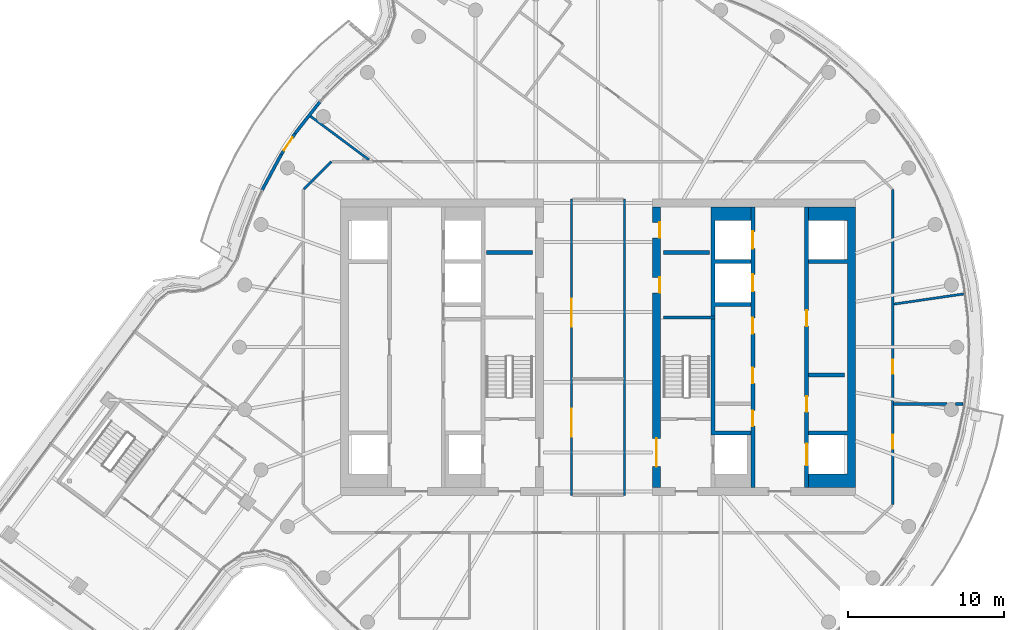
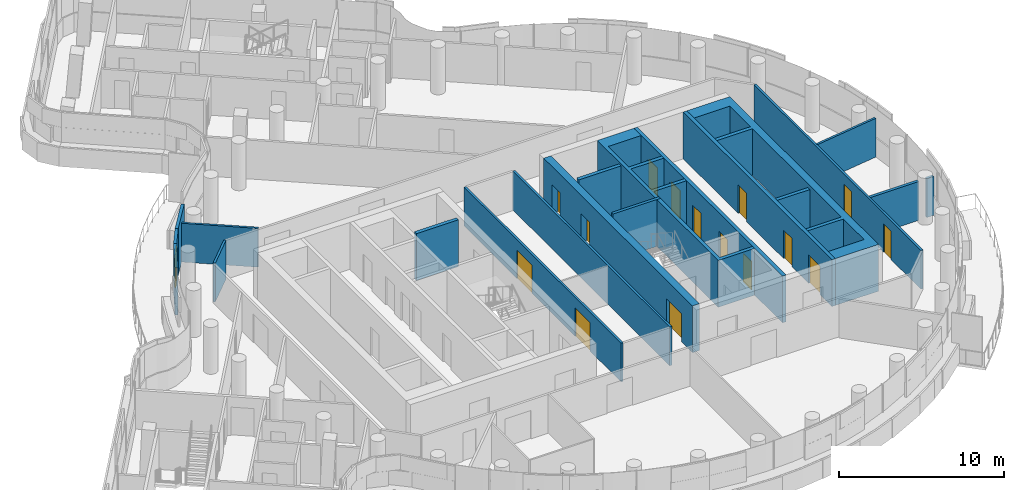
# One storey, part 19 of 27: 20 walls, 16 doors, 16 openings.
"""IFC4 building model written with IfcOpenShell, lengths in metres."""

from ifc_helpers import new_model, si_unit, direction, frame, frame_2d, origin, place, context, subcontext, project, spatial, polyline, rectangle, outline, extrude, material, layer, layer_set, type_object, element, fill, save


model = new_model("IFC4")

# Units and contexts
model_context = context("Model", 3, precision=1e-05, world=origin(), true_north=direction((0.0, 1.0)))
body_context = subcontext(model_context, "Body", "Model", "MODEL_VIEW")
ifc_project = project(units=[si_unit("LENGTHUNIT", "METRE"), si_unit("AREAUNIT", "SQUARE_METRE"), si_unit("VOLUMEUNIT", "CUBIC_METRE"), si_unit("PLANEANGLEUNIT", "RADIAN"), si_unit("MASSUNIT", "GRAM", prefix="KILO")], contexts=[model_context])

# Site, building, storey
site_placement = place(None, origin())
site = spatial("IfcSite", under=ifc_project, at=site_placement, CompositionType="ELEMENT")
building_placement = place(site_placement, origin())
building = spatial("IfcBuilding", under=site, at=building_placement, Name="Tamarind Cross Interchange Tower", CompositionType="ELEMENT")
storey_placement = place(building_placement, frame((0.0, 0.0, 227.10009765625)))
storey = spatial("IfcBuildingStorey", under=building, at=storey_placement, Name="L57", CompositionType="ELEMENT", Elevation=227.10009765625)

# Walls
ifc_material_1 = material(Name="Concrete C40", Category="concrete")
ifc_layer_1 = layer(ifc_material_1, 0.199951171875)
ifc_layer_set_1 = layer_set([ifc_layer_1], Name="Concrete C40")
wall_type_1 = type_object("IfcWallType", Name="Balcony and garden door wall", PredefinedType="SOLIDWALL", material=ifc_layer_set_1)
wall_1_placement = place(storey_placement, frame((-17.8310546875, 15.737548828125, 0.0), z_axis=(0.0, 0.0, 1.0), x_axis=(-0.617667728479, -0.786439175776, 0.0)))
element("IfcWall", 1, at=wall_1_placement, inside=storey, type_object=wall_type_1, Name="EXW-L57-06-D02L", PredefinedType="SOLIDWALL", context=body_context, shape_type="SweptSolid", body=[
    extrude(rectangle(XDim=2.59375, YDim=0.199951171875, at=frame_2d((1.296875, 0.0))), origin(), (0.0, 0.0, 1.0), 3.4599609375),
])
wall_2_placement = place(storey_placement, frame((-20.3115234375, 12.362060546875, 0.0), z_axis=(0.0, 0.0, 1.0), x_axis=(-0.472487856135, -0.881337180541, 0.0)))
element("IfcWall", 2, at=wall_2_placement, inside=storey, type_object=wall_type_1, Name="EXW-L57-06-D02R", PredefinedType="SOLIDWALL", context=body_context, shape_type="SweptSolid", body=[
    extrude(rectangle(XDim=2.59326171875, YDim=0.199951171875, at=frame_2d((1.296630859375, 0.0))), origin(), (0.0, 0.0, 1.0), 3.4599609375),
])

# Wall, opening, door
wall_3_placement = place(storey_placement, frame((-19.43310546875, 13.69775390625, 0.0), z_axis=(0.0, 0.0, 1.0), x_axis=(-0.549473446393, -0.835511179883, 0.0)))
wall_3 = element("IfcWall", 3, at=wall_3_placement, inside=storey, type_object=wall_type_1, Name="EXW-L57-06-D02", PredefinedType="SOLIDWALL", context=body_context, shape_type="SweptSolid", body=[
    extrude(rectangle(XDim=1.5986328125, YDim=0.199951171875, at=frame_2d((0.79931640625, 0.0))), origin(), (0.0, 0.0, 1.0), 3.4599609375),
])
opening_1_placement = place(wall_3_placement, frame((0.29931640625, 0.0, 0.0)))
opening_1 = element("IfcOpeningElement", 4, at=opening_1_placement, cuts=wall_3, Name="Opening D2", PredefinedType="OPENING", context=body_context, shape_type="SweptSolid", body=[
    extrude(rectangle(XDim=1.0, YDim=2.39990234375, at=frame_2d((0.5, 1.199951171875))), frame((0.0, 0.10986328125, 0.0), z_axis=(0.0, -1.0, 0.0), x_axis=(1.0, 0.0, 0.0)), (0.0, 0.0, 1.0), 0.219970703125),
])
ifc_material_2 = material(Name="Aluminium and toughened glass", Category="aluminium")
door_type_1 = type_object("IfcDoorType", Name="Balcony and garden door", OperationType="SINGLE_SWING_LEFT", PredefinedType="DOOR", material=ifc_material_2)
door_1_placement = place(opening_1_placement, origin())
door_1 = element("IfcDoor", 5, at=door_1_placement, inside=storey, type_object=door_type_1, Name="DOR-L57-06-02", OperationType="SINGLE_SWING_LEFT", OverallHeight=2.39990234375, OverallWidth=1.0, PredefinedType="DOOR", context=body_context, shape_type="SweptSolid", body=[
    extrude(rectangle(XDim=1.0, YDim=2.39990234375, at=frame_2d((0.5, 1.199951171875))), frame((0.0, 0.02490234375, 0.0), z_axis=(0.0, -1.0, 0.0), x_axis=(1.0, 0.0, 0.0)), (0.0, 0.0, 1.0), 0.050048828125),
])
fill(opening_1, door_1)

# Wall
ifc_material_3 = material(Name="Concrete C50", Category="concrete")
ifc_layer_2 = layer(ifc_material_3, 0.5)
ifc_layer_set_2 = layer_set([ifc_layer_2], Name="Concrete C50")
wall_type_2 = type_object("IfcWallType", Name="Core wall 500 mm Concrete C50", PredefinedType="SHEAR", material=ifc_layer_set_2)
wall_4_placement = place(storey_placement, origin())
element("IfcWall", 6, at=wall_4_placement, inside=storey, type_object=wall_type_2, Name="Core wall CWL-L57-E-A", PredefinedType="SHEAR", context=body_context, shape_type="SweptSolid", body=[
    extrude(outline(polyline([(13.5, -8.125), (13.5, -9.0), (16.0, -9.0), (16.5, -9.0), (16.5, 9.0), (16.0, 9.0), (13.5, 9.0), (13.5, 8.125), (16.0, 8.125), (16.0, 5.625), (13.5, 5.625), (13.5, 5.375), (16.0, 5.375), (16.0, -5.375), (13.5, -5.375), (13.5, -5.625), (16.0, -5.625), (16.0, -8.125), (13.5, -8.125)])), origin(), (0.0, 0.0, 1.0), 3.4599609375),
])

# Wall, openings, doors
wall_5_placement = place(storey_placement, frame((3.75, -9.0, 0.0), z_axis=(0.0, 0.0, 1.0), x_axis=(0.0, 1.0, 0.0)))
wall_5 = element("IfcWall", 7, at=wall_5_placement, inside=storey, type_object=wall_type_2, Name="Core wall CWL-L57-E-IN", PredefinedType="SHEAR", context=body_context, shape_type="SweptSolid", body=[
    extrude(rectangle(XDim=18.0, YDim=0.5, at=frame_2d((9.0, 0.0))), origin(), (0.0, 0.0, 1.0), 3.4599609375),
])
opening_2_placement = place(wall_5_placement, frame((1.35009765625, 0.0, 0.0)))
opening_2 = element("IfcOpeningElement", 8, at=opening_2_placement, cuts=wall_5, Name="Opening DCE4", PredefinedType="OPENING", context=body_context, shape_type="SweptSolid", body=[
    extrude(rectangle(XDim=1.800048828125, YDim=2.10009765625, at=frame_2d((0.89990234375, 1.050048828125))), frame((0.0, 0.260009765625, 0.0), z_axis=(0.0, -1.0, 0.0), x_axis=(1.0, 0.0, 0.0)), (0.0, 0.0, 1.0), 0.52001953125),
])
opening_3_placement = place(wall_5_placement, frame((12.4775390625, 0.0, 0.0)))
opening_3 = element("IfcOpeningElement", 9, at=opening_3_placement, cuts=wall_5, Name="Opening DCE5", PredefinedType="OPENING", context=body_context, shape_type="SweptSolid", body=[
    extrude(rectangle(XDim=1.0, YDim=2.10009765625, at=frame_2d((0.5, 1.050048828125))), frame((0.0, 0.260009765625, 0.0), z_axis=(0.0, -1.0, 0.0), x_axis=(1.0, 0.0, 0.0)), (0.0, 0.0, 1.0), 0.52001953125),
])
opening_4_placement = place(wall_5_placement, frame((16.00244140625, 0.0, 0.0)))
opening_4 = element("IfcOpeningElement", 10, at=opening_4_placement, cuts=wall_5, Name="Opening DCE5", PredefinedType="OPENING", context=body_context, shape_type="SweptSolid", body=[
    extrude(rectangle(XDim=1.0, YDim=2.10009765625, at=frame_2d((0.5, 1.050048828125))), frame((0.0, 0.260009765625, 0.0), z_axis=(0.0, -1.0, 0.0), x_axis=(1.0, 0.0, 0.0)), (0.0, 0.0, 1.0), 0.52001953125),
])
ifc_material_4 = material(Name="Steel, fire-resisting", Category="steel")
door_type_2 = type_object("IfcDoorType", Name="Core fire door 1000 x 2100 FD90", OperationType="SINGLE_SWING_LEFT", PredefinedType="DOOR", material=ifc_material_4)
door_2_placement = place(opening_3_placement, origin())
door_2 = element("IfcDoor", 11, at=door_2_placement, inside=storey, type_object=door_type_2, Name="L57 housekeeping pantry door", OperationType="SINGLE_SWING_LEFT", OverallHeight=2.10009765625, OverallWidth=1.0, PredefinedType="DOOR", context=body_context, shape_type="SweptSolid", body=[
    extrude(rectangle(XDim=1.0, YDim=2.10009765625, at=frame_2d((0.5, 1.050048828125))), frame((0.0, -0.1748046875, 0.0), z_axis=(0.0, -1.0, 0.0), x_axis=(1.0, 0.0, 0.0)), (0.0, 0.0, 1.0), 0.050048828125),
])
fill(opening_3, door_2)
door_3_placement = place(opening_4_placement, origin())
door_3 = element("IfcDoor", 12, at=door_3_placement, inside=storey, type_object=door_type_2, Name="L57 linen press door", OperationType="SINGLE_SWING_LEFT", OverallHeight=2.10009765625, OverallWidth=1.0, PredefinedType="DOOR", context=body_context, shape_type="SweptSolid", body=[
    extrude(rectangle(XDim=1.0, YDim=2.10009765625, at=frame_2d((0.5, 1.050048828125))), frame((0.0, -0.1748046875, 0.0), z_axis=(0.0, -1.0, 0.0), x_axis=(1.0, 0.0, 0.0)), (0.0, 0.0, 1.0), 0.050048828125),
])
fill(opening_4, door_3)
door_type_3 = type_object("IfcDoorType", Name="Core fire door 1800 x 2100 FD90", OperationType="SINGLE_SWING_LEFT", PredefinedType="DOOR", material=ifc_material_4)
door_4_placement = place(opening_2_placement, origin())
door_4 = element("IfcDoor", 13, at=door_4_placement, inside=storey, type_object=door_type_3, Name="L57 firefighting lobby door", OperationType="SINGLE_SWING_LEFT", OverallHeight=2.10009765625, OverallWidth=1.800048828125, PredefinedType="DOOR", context=body_context, shape_type="SweptSolid", body=[
    extrude(rectangle(XDim=1.800048828125, YDim=2.10009765625, at=frame_2d((0.89990234375, 1.050048828125))), frame((0.0, 0.02490234375, 0.0), z_axis=(0.0, -1.0, 0.0), x_axis=(1.0, 0.0, 0.0)), (0.0, 0.0, 1.0), 0.050048828125),
])
fill(opening_2, door_4)

# Walls
ifc_layer_3 = layer(ifc_material_3, 0.199951171875)
ifc_layer_set_3 = layer_set([ifc_layer_3], Name="Concrete C50")
wall_type_3 = type_object("IfcWallType", Name="Core web wall 200 mm Concrete C50", PredefinedType="SHEAR", material=ifc_layer_set_3)
wall_6_placement = place(storey_placement, frame((7.5, 1.89990234375, 0.0), z_axis=(0.0, 0.0, 1.0), x_axis=(-1.0, 0.0, 0.0)))
element("IfcWall", 14, at=wall_6_placement, inside=storey, type_object=wall_type_3, Name="Core wall CWL-L57-E-BD", PredefinedType="SHEAR", context=body_context, shape_type="SweptSolid", body=[
    extrude(rectangle(XDim=3.300048828125, YDim=0.199951171875, at=frame_2d((1.64990234375, 0.0))), origin(), (0.0, 0.0, 1.0), 3.4599609375),
])
ifc_layer_4 = layer(ifc_material_3, 0.25)
ifc_layer_set_4 = layer_set([ifc_layer_4], Name="Concrete C50")
wall_type_4 = type_object("IfcWallType", Name="Core web wall 250 mm Concrete C50", PredefinedType="SHEAR", material=ifc_layer_set_4)
wall_7_placement = place(storey_placement, origin())
element("IfcWall", 15, at=wall_7_placement, inside=storey, type_object=wall_type_4, Name="Core wall CWL-L57-E-BN", PredefinedType="SHEAR", context=body_context, shape_type="SweptSolid", body=[
    extrude(outline(polyline([(9.800048828125, -5.375), (7.5, -5.375), (7.5, 2.625), (9.800048828125, 2.625), (9.800048828125, 2.875), (7.5, 2.875), (7.5, 5.375), (9.800048828125, 5.375), (9.800048828125, 5.625), (7.5, 5.625), (7.5, 8.125), (9.800048828125, 8.125), (9.800048828125, 9.0), (7.5, 9.0), (7.25, 9.0), (7.25, -5.625), (7.5, -5.625), (9.800048828125, -5.625), (9.800048828125, -5.375)])), origin(), (0.0, 0.0, 1.0), 3.4599609375),
])

# Wall, openings, doors
wall_8_placement = place(storey_placement, frame((13.375, -9.0, 0.0), z_axis=(0.0, 0.0, 1.0), x_axis=(0.0, 1.0, 0.0)))
wall_8 = element("IfcWall", 16, at=wall_8_placement, inside=storey, type_object=wall_type_4, Name="Core wall CWL-L57-E-LA", PredefinedType="SHEAR", context=body_context, shape_type="SweptSolid", body=[
    extrude(rectangle(XDim=18.0, YDim=0.25, at=frame_2d((9.0, 0.0))), origin(), (0.0, 0.0, 1.0), 3.4599609375),
])
opening_5_placement = place(wall_8_placement, frame((1.425048828125, 0.0, 0.0)))
opening_5 = element("IfcOpeningElement", 17, at=opening_5_placement, cuts=wall_8, Name="Opening LD13L57", PredefinedType="OPENING", context=body_context, shape_type="SweptSolid", body=[
    extrude(rectangle(XDim=1.39990234375, YDim=2.10009765625, at=frame_2d((0.699951171875, 1.050048828125))), frame((0.0, 0.135009765625, 0.0), z_axis=(0.0, -1.0, 0.0), x_axis=(1.0, 0.0, 0.0)), (0.0, 0.0, 1.0), 0.27001953125),
])
opening_6_placement = place(wall_8_placement, frame((4.85400390625, 0.0, 0.0)))
opening_6 = element("IfcOpeningElement", 18, at=opening_6_placement, cuts=wall_8, Name="Opening DCE9", PredefinedType="OPENING", context=body_context, shape_type="SweptSolid", body=[
    extrude(rectangle(XDim=1.0, YDim=2.10009765625, at=frame_2d((0.5, 1.050048828125))), frame((0.0, 0.135009765625, 0.0), z_axis=(0.0, -1.0, 0.0), x_axis=(1.0, 0.0, 0.0)), (0.0, 0.0, 1.0), 0.27001953125),
])
opening_7_placement = place(wall_8_placement, frame((10.35400390625, 0.0, 0.0)))
opening_7 = element("IfcOpeningElement", 19, at=opening_7_placement, cuts=wall_8, Name="Opening DCE10", PredefinedType="OPENING", context=body_context, shape_type="SweptSolid", body=[
    extrude(rectangle(XDim=1.0, YDim=2.10009765625, at=frame_2d((0.5, 1.050048828125))), frame((0.0, 0.135009765625, 0.0), z_axis=(0.0, -1.0, 0.0), x_axis=(1.0, 0.0, 0.0)), (0.0, 0.0, 1.0), 0.27001953125),
])
door_5_placement = place(opening_6_placement, origin())
door_5 = element("IfcDoor", 20, at=door_5_placement, inside=storey, type_object=door_type_2, Name="L57 Hotel pantry door", OperationType="SINGLE_SWING_LEFT", OverallHeight=2.10009765625, OverallWidth=1.0, PredefinedType="DOOR", context=body_context, shape_type="SweptSolid", body=[
    extrude(rectangle(XDim=1.0, YDim=2.10009765625, at=frame_2d((0.5, 1.050048828125))), frame((0.0, 0.02490234375, 0.0), z_axis=(0.0, -1.0, 0.0), x_axis=(1.0, 0.0, 0.0)), (0.0, 0.0, 1.0), 0.050048828125),
])
fill(opening_6, door_5)
door_6_placement = place(opening_7_placement, origin())
door_6 = element("IfcDoor", 21, at=door_6_placement, inside=storey, type_object=door_type_2, Name="L57 Staff changing room door", OperationType="SINGLE_SWING_LEFT", OverallHeight=2.10009765625, OverallWidth=1.0, PredefinedType="DOOR", context=body_context, shape_type="SweptSolid", body=[
    extrude(rectangle(XDim=1.0, YDim=2.10009765625, at=frame_2d((0.5, 1.050048828125))), frame((0.0, 0.02490234375, 0.0), z_axis=(0.0, -1.0, 0.0), x_axis=(1.0, 0.0, 0.0)), (0.0, 0.0, 1.0), 0.050048828125),
])
fill(opening_7, door_6)
ifc_material_5 = material(Name="Stainless steel panel", Category="steel")
door_type_4 = type_object("IfcDoorType", Name="Lift landing door 1400 x 2100 E 120", OperationType="SLIDING_TO_LEFT", PredefinedType="DOOR", material=ifc_material_5)
door_7_placement = place(opening_5_placement, origin())
door_7 = element("IfcDoor", 22, at=door_7_placement, inside=storey, type_object=door_type_4, Name="L57 landing door LF13", OperationType="SLIDING_TO_LEFT", OverallHeight=2.10009765625, OverallWidth=1.39990234375, PredefinedType="DOOR", context=body_context, shape_type="SweptSolid", body=[
    extrude(rectangle(XDim=1.39990234375, YDim=2.10009765625, at=frame_2d((0.699951171875, 1.050048828125))), frame((0.0, 0.02490234375, 0.0), z_axis=(0.0, -1.0, 0.0), x_axis=(1.0, 0.0, 0.0)), (0.0, 0.0, 1.0), 0.050048828125),
])
fill(opening_5, door_7)

wall_9_placement = place(storey_placement, frame((9.925048828125, -9.0, 0.0), z_axis=(0.0, 0.0, 1.0), x_axis=(0.0, 1.0, 0.0)))
wall_9 = element("IfcWall", 23, at=wall_9_placement, inside=storey, type_object=wall_type_4, Name="Core wall CWL-L57-E-LB", PredefinedType="SHEAR", context=body_context, shape_type="SweptSolid", body=[
    extrude(rectangle(XDim=18.0, YDim=0.25, at=frame_2d((9.0, 0.0))), origin(), (0.0, 0.0, 1.0), 3.4599609375),
])
opening_8_placement = place(wall_9_placement, frame((12.574951171875, 0.0, 0.0)))
opening_8 = element("IfcOpeningElement", 24, at=opening_8_placement, cuts=wall_9, Name="Opening LD23L57", PredefinedType="OPENING", context=body_context, shape_type="SweptSolid", body=[
    extrude(rectangle(XDim=1.10009765625, YDim=2.10009765625, at=frame_2d((0.550048828125, 1.050048828125))), frame((0.0, 0.135009765625, 0.0), z_axis=(0.0, -1.0, 0.0), x_axis=(1.0, 0.0, 0.0)), (0.0, 0.0, 1.0), 0.27001953125),
])
opening_9_placement = place(wall_9_placement, frame((15.324951171875, 0.0, 0.0)))
opening_9 = element("IfcOpeningElement", 25, at=opening_9_placement, cuts=wall_9, Name="Opening LD24L57", PredefinedType="OPENING", context=body_context, shape_type="SweptSolid", body=[
    extrude(rectangle(XDim=1.10009765625, YDim=2.10009765625, at=frame_2d((0.550048828125, 1.050048828125))), frame((0.0, 0.135009765625, 0.0), z_axis=(0.0, -1.0, 0.0), x_axis=(1.0, 0.0, 0.0)), (0.0, 0.0, 1.0), 0.27001953125),
])
opening_10_placement = place(wall_9_placement, frame((3.9375, 0.0, 0.0)))
opening_10 = element("IfcOpeningElement", 26, at=opening_10_placement, cuts=wall_9, Name="Opening DCE21", PredefinedType="OPENING", context=body_context, shape_type="SweptSolid", body=[
    extrude(rectangle(XDim=1.0, YDim=2.10009765625, at=frame_2d((0.5, 1.050048828125))), frame((0.0, 0.135009765625, 0.0), z_axis=(0.0, -1.0, 0.0), x_axis=(1.0, 0.0, 0.0)), (0.0, 0.0, 1.0), 0.27001953125),
])
opening_11_placement = place(wall_9_placement, frame((6.6875, 0.0, 0.0)))
opening_11 = element("IfcOpeningElement", 27, at=opening_11_placement, cuts=wall_9, Name="Opening DCE22", PredefinedType="OPENING", context=body_context, shape_type="SweptSolid", body=[
    extrude(rectangle(XDim=1.0, YDim=2.10009765625, at=frame_2d((0.5, 1.050048828125))), frame((0.0, 0.135009765625, 0.0), z_axis=(0.0, -1.0, 0.0), x_axis=(1.0, 0.0, 0.0)), (0.0, 0.0, 1.0), 0.27001953125),
])
opening_12_placement = place(wall_9_placement, frame((9.875, 0.0, 0.0)))
opening_12 = element("IfcOpeningElement", 28, at=opening_12_placement, cuts=wall_9, Name="Opening DCE21", PredefinedType="OPENING", context=body_context, shape_type="SweptSolid", body=[
    extrude(rectangle(XDim=1.0, YDim=2.10009765625, at=frame_2d((0.5, 1.050048828125))), frame((0.0, 0.135009765625, 0.0), z_axis=(0.0, -1.0, 0.0), x_axis=(1.0, 0.0, 0.0)), (0.0, 0.0, 1.0), 0.27001953125),
])
door_8_placement = place(opening_10_placement, origin())
door_8 = element("IfcDoor", 29, at=door_8_placement, inside=storey, type_object=door_type_2, Name="L57 Linen press door", OperationType="SINGLE_SWING_LEFT", OverallHeight=2.10009765625, OverallWidth=1.0, PredefinedType="DOOR", context=body_context, shape_type="SweptSolid", body=[
    extrude(rectangle(XDim=1.0, YDim=2.10009765625, at=frame_2d((0.5, 1.050048828125))), frame((0.0, 0.02490234375, 0.0), z_axis=(0.0, -1.0, 0.0), x_axis=(1.0, 0.0, 0.0)), (0.0, 0.0, 1.0), 0.050048828125),
])
fill(opening_10, door_8)
door_9_placement = place(opening_11_placement, origin())
door_9 = element("IfcDoor", 30, at=door_9_placement, inside=storey, type_object=door_type_2, Name="L57 Hotel pantry door", OperationType="SINGLE_SWING_LEFT", OverallHeight=2.10009765625, OverallWidth=1.0, PredefinedType="DOOR", context=body_context, shape_type="SweptSolid", body=[
    extrude(rectangle(XDim=1.0, YDim=2.10009765625, at=frame_2d((0.5, 1.050048828125))), frame((0.0, 0.02490234375, 0.0), z_axis=(0.0, -1.0, 0.0), x_axis=(1.0, 0.0, 0.0)), (0.0, 0.0, 1.0), 0.050048828125),
])
fill(opening_11, door_9)
door_10_placement = place(opening_12_placement, origin())
door_10 = element("IfcDoor", 31, at=door_10_placement, inside=storey, type_object=door_type_2, Name="L57 Linen press door", OperationType="SINGLE_SWING_LEFT", OverallHeight=2.10009765625, OverallWidth=1.0, PredefinedType="DOOR", context=body_context, shape_type="SweptSolid", body=[
    extrude(rectangle(XDim=1.0, YDim=2.10009765625, at=frame_2d((0.5, 1.050048828125))), frame((0.0, 0.02490234375, 0.0), z_axis=(0.0, -1.0, 0.0), x_axis=(1.0, 0.0, 0.0)), (0.0, 0.0, 1.0), 0.050048828125),
])
fill(opening_12, door_10)
door_type_5 = type_object("IfcDoorType", Name="Lift landing door 1100 x 2100 E 120", OperationType="SLIDING_TO_LEFT", PredefinedType="DOOR", material=ifc_material_5)
door_11_placement = place(opening_8_placement, origin())
door_11 = element("IfcDoor", 32, at=door_11_placement, inside=storey, type_object=door_type_5, Name="L57 landing door LF23", OperationType="SLIDING_TO_LEFT", OverallHeight=2.10009765625, OverallWidth=1.10009765625, PredefinedType="DOOR", context=body_context, shape_type="SweptSolid", body=[
    extrude(rectangle(XDim=1.10009765625, YDim=2.10009765625, at=frame_2d((0.550048828125, 1.050048828125))), frame((0.0, 0.02490234375, 0.0), z_axis=(0.0, -1.0, 0.0), x_axis=(1.0, 0.0, 0.0)), (0.0, 0.0, 1.0), 0.050048828125),
])
fill(opening_8, door_11)
door_12_placement = place(opening_9_placement, origin())
door_12 = element("IfcDoor", 33, at=door_12_placement, inside=storey, type_object=door_type_5, Name="L57 landing door LF24", OperationType="SLIDING_TO_LEFT", OverallHeight=2.10009765625, OverallWidth=1.10009765625, PredefinedType="DOOR", context=body_context, shape_type="SweptSolid", body=[
    extrude(rectangle(XDim=1.10009765625, YDim=2.10009765625, at=frame_2d((0.550048828125, 1.050048828125))), frame((0.0, 0.02490234375, 0.0), z_axis=(0.0, -1.0, 0.0), x_axis=(1.0, 0.0, 0.0)), (0.0, 0.0, 1.0), 0.050048828125),
])
fill(opening_9, door_12)

# Walls
ifc_material_6 = material(Name="Gypsum board partition on steel studs", Category="steel")
ifc_layer_5 = layer(ifc_material_6, 0.14990234375)
ifc_layer_set_5 = layer_set([ifc_layer_5], Name="Gypsum board partition on steel studs")
wall_type_5 = type_object("IfcWallType", Name="Partition 150 mm EI 120", PredefinedType="PARTITIONING", material=ifc_layer_set_5)
wall_10_placement = place(storey_placement, frame((-18.46337890625, 14.827392578125, 0.0), z_axis=(0.0, 0.0, 1.0), x_axis=(0.801555334436, -0.597920601617, 0.0)))
element("IfcWall", 34, at=wall_10_placement, inside=storey, type_object=wall_type_5, Name="Partition L57-012", PredefinedType="PARTITIONING", context=body_context, shape_type="SweptSolid", body=[
    extrude(rectangle(XDim=4.700927734375, YDim=0.14990234375, at=frame_2d((2.3505859375, 0.0))), origin(), (0.0, 0.0, 1.0), 2.864013671875),
])
wall_11_placement = place(storey_placement, frame((18.96923828125, 2.76220703125, 0.0), z_axis=(0.0, 0.0, 1.0), x_axis=(0.989562442657, 0.144104726094, 0.0)))
element("IfcWall", 35, at=wall_11_placement, inside=storey, type_object=wall_type_5, Name="Partition L57-034", PredefinedType="PARTITIONING", context=body_context, shape_type="SweptSolid", body=[
    extrude(rectangle(XDim=4.50830078125, YDim=0.14990234375, at=frame_2d((2.254150390625, 0.0))), origin(), (0.0, 0.0, 1.0), 2.864013671875),
])
wall_12_placement = place(storey_placement, frame((-18.87158203125, 10.12841796875, 0.0), z_axis=(0.0, 0.0, 1.0), x_axis=(0.707106781187, 0.707106781187, 0.0)))
element("IfcWall", 36, at=wall_12_placement, inside=storey, type_object=wall_type_5, Name="Partition L57-035", PredefinedType="PARTITIONING", context=body_context, shape_type="SweptSolid", body=[
    extrude(rectangle(XDim=2.50537109375, YDim=0.14990234375, at=frame_2d((1.252685546875, 0.0))), origin(), (0.0, 0.0, 1.0), 2.864013671875),
])

# Wall, openings, doors
wall_13_placement = place(storey_placement, frame((-1.699951171875, -9.5, 0.0), z_axis=(0.0, 0.0, 1.0), x_axis=(0.0, 1.0, 0.0)))
wall_13 = element("IfcWall", 37, at=wall_13_placement, inside=storey, type_object=wall_type_5, Name="Partition L57-061", PredefinedType="PARTITIONING", context=body_context, shape_type="SweptSolid", body=[
    extrude(rectangle(XDim=19.0, YDim=0.14990234375, at=frame_2d((9.5, 0.0))), origin(), (0.0, 0.0, 1.0), 2.864013671875),
])
opening_13_placement = place(wall_13_placement, frame((3.75, 0.0, 0.0)))
opening_13 = element("IfcOpeningElement", 38, at=opening_13_placement, cuts=wall_13, Name="Opening D33", PredefinedType="OPENING", context=body_context, shape_type="SweptSolid", body=[
    extrude(rectangle(XDim=1.800048828125, YDim=2.10009765625, at=frame_2d((0.89990234375, 1.050048828125))), frame((0.0, 0.0849609375, 0.0), z_axis=(0.0, -1.0, 0.0), x_axis=(1.0, 0.0, 0.0)), (0.0, 0.0, 1.0), 0.169921875),
])
opening_14_placement = place(wall_13_placement, frame((10.800048828125, 0.0, 0.0)))
opening_14 = element("IfcOpeningElement", 39, at=opening_14_placement, cuts=wall_13, Name="Opening D34", PredefinedType="OPENING", context=body_context, shape_type="SweptSolid", body=[
    extrude(rectangle(XDim=1.800048828125, YDim=2.10009765625, at=frame_2d((0.89990234375, 1.050048828125))), frame((0.0, 0.0849609375, 0.0), z_axis=(0.0, -1.0, 0.0), x_axis=(1.0, 0.0, 0.0)), (0.0, 0.0, 1.0), 0.169921875),
])
ifc_material_7 = material(Name="Fire-resisting door set")
door_type_6 = type_object("IfcDoorType", Name="Interior door 1800 x 2100 FD60S", OperationType="DOUBLE_DOOR_SINGLE_SWING", PredefinedType="DOOR", material=ifc_material_7)
door_13_placement = place(opening_13_placement, frame((1.800048828125, 0.0, 0.0), z_axis=(0.0, 0.0, 1.0), x_axis=(-1.0, 0.0, 0.0)))
door_13 = element("IfcDoor", 40, at=door_13_placement, inside=storey, type_object=door_type_6, Name="Door D33", OperationType="DOUBLE_DOOR_SINGLE_SWING", OverallHeight=2.10009765625, OverallWidth=1.800048828125, PredefinedType="DOOR", context=body_context, shape_type="SweptSolid", body=[
    extrude(rectangle(XDim=1.800048828125, YDim=2.10009765625, at=frame_2d((0.89990234375, 1.050048828125))), frame((0.0, 0.02490234375, 0.0), z_axis=(0.0, -1.0, 0.0), x_axis=(1.0, 0.0, 0.0)), (0.0, 0.0, 1.0), 0.050048828125),
])
fill(opening_13, door_13)
door_14_placement = place(opening_14_placement, frame((1.800048828125, 0.0, 0.0), z_axis=(0.0, 0.0, 1.0), x_axis=(-1.0, 0.0, 0.0)))
door_14 = element("IfcDoor", 41, at=door_14_placement, inside=storey, type_object=door_type_6, Name="Door D34", OperationType="DOUBLE_DOOR_SINGLE_SWING", OverallHeight=2.10009765625, OverallWidth=1.800048828125, PredefinedType="DOOR", context=body_context, shape_type="SweptSolid", body=[
    extrude(rectangle(XDim=1.800048828125, YDim=2.10009765625, at=frame_2d((0.89990234375, 1.050048828125))), frame((0.0, 0.02490234375, 0.0), z_axis=(0.0, -1.0, 0.0), x_axis=(1.0, 0.0, 0.0)), (0.0, 0.0, 1.0), 0.050048828125),
])
fill(opening_14, door_14)

# Wall
wall_14_placement = place(storey_placement, frame((1.699951171875, -9.5, 0.0), z_axis=(0.0, 0.0, 1.0), x_axis=(0.0, 1.0, 0.0)))
element("IfcWall", 42, at=wall_14_placement, inside=storey, type_object=wall_type_5, Name="Partition L57-063", PredefinedType="PARTITIONING", context=body_context, shape_type="SweptSolid", body=[
    extrude(rectangle(XDim=19.0, YDim=0.14990234375, at=frame_2d((9.5, 0.0))), origin(), (0.0, 0.0, 1.0), 2.864013671875),
])

# Wall, openings, doors
wall_15_placement = place(storey_placement, frame((18.89990234375, -10.10009765625, 0.0), z_axis=(0.0, 0.0, 1.0), x_axis=(0.0, 1.0, 0.0)))
wall_15 = element("IfcWall", 43, at=wall_15_placement, inside=storey, type_object=wall_type_5, Name="Partition L57-064", PredefinedType="PARTITIONING", context=body_context, shape_type="SweptSolid", body=[
    extrude(rectangle(XDim=20.2001953125, YDim=0.14990234375, at=frame_2d((10.10009765625, 0.0))), origin(), (0.0, 0.0, 1.0), 2.864013671875),
])
opening_15_placement = place(wall_15_placement, frame((3.60009765625, 0.0, 0.0)))
opening_15 = element("IfcOpeningElement", 44, at=opening_15_placement, cuts=wall_15, Name="Opening D35", PredefinedType="OPENING", context=body_context, shape_type="SweptSolid", body=[
    extrude(rectangle(XDim=0.89990234375, YDim=2.10009765625, at=frame_2d((0.449951171875, 1.050048828125))), frame((0.0, 0.0849609375, 0.0), z_axis=(0.0, -1.0, 0.0), x_axis=(1.0, 0.0, 0.0)), (0.0, 0.0, 1.0), 0.169921875),
])
opening_16_placement = place(wall_15_placement, frame((8.407958984375, 0.0, 0.0)))
opening_16 = element("IfcOpeningElement", 45, at=opening_16_placement, cuts=wall_15, Name="Opening D36", PredefinedType="OPENING", context=body_context, shape_type="SweptSolid", body=[
    extrude(rectangle(XDim=0.89990234375, YDim=2.10009765625, at=frame_2d((0.449951171875, 1.050048828125))), frame((0.0, 0.0849609375, 0.0), z_axis=(0.0, -1.0, 0.0), x_axis=(1.0, 0.0, 0.0)), (0.0, 0.0, 1.0), 0.169921875),
])
door_type_7 = type_object("IfcDoorType", Name="Interior door 900 x 2100 FD60S", OperationType="SINGLE_SWING_LEFT", PredefinedType="DOOR", material=ifc_material_7)
door_15_placement = place(opening_15_placement, frame((0.89990234375, 0.0, 0.0), z_axis=(0.0, 0.0, 1.0), x_axis=(-1.0, 0.0, 0.0)))
door_15 = element("IfcDoor", 46, at=door_15_placement, inside=storey, type_object=door_type_7, Name="Door D35", OperationType="SINGLE_SWING_LEFT", OverallHeight=2.10009765625, OverallWidth=0.89990234375, PredefinedType="DOOR", context=body_context, shape_type="SweptSolid", body=[
    extrude(rectangle(XDim=0.89990234375, YDim=2.10009765625, at=frame_2d((0.449951171875, 1.050048828125))), frame((0.0, 0.02490234375, 0.0), z_axis=(0.0, -1.0, 0.0), x_axis=(1.0, 0.0, 0.0)), (0.0, 0.0, 1.0), 0.050048828125),
])
fill(opening_15, door_15)
door_16_placement = place(opening_16_placement, frame((0.89990234375, 0.0, 0.0), z_axis=(0.0, 0.0, 1.0), x_axis=(-1.0, 0.0, 0.0)))
door_16 = element("IfcDoor", 47, at=door_16_placement, inside=storey, type_object=door_type_7, Name="Door D36", OperationType="SINGLE_SWING_LEFT", OverallHeight=2.10009765625, OverallWidth=0.89990234375, PredefinedType="DOOR", context=body_context, shape_type="SweptSolid", body=[
    extrude(rectangle(XDim=0.89990234375, YDim=2.10009765625, at=frame_2d((0.449951171875, 1.050048828125))), frame((0.0, 0.02490234375, 0.0), z_axis=(0.0, -1.0, 0.0), x_axis=(1.0, 0.0, 0.0)), (0.0, 0.0, 1.0), 0.050048828125),
])
fill(opening_16, door_16)

# Walls
ifc_layer_6 = layer(ifc_material_6, 0.199951171875)
ifc_layer_set_6 = layer_set([ifc_layer_6], Name="Gypsum board partition on steel studs")
wall_type_6 = type_object("IfcWallType", Name="Partition 200 mm EI 180", PredefinedType="PARTITIONING", material=ifc_layer_set_6)
wall_16_placement = place(storey_placement, frame((18.955078125, -3.64208984375, 0.0), z_axis=(0.0, 0.0, 1.0), x_axis=(1.0, 0.0, 0.0)))
element("IfcWall", 48, at=wall_16_placement, inside=storey, type_object=wall_type_6, Name="Partition L57-032", PredefinedType="PARTITIONING", context=body_context, shape_type="SweptSolid", body=[
    extrude(rectangle(XDim=3.4189453125, YDim=0.199951171875, at=frame_2d((1.70947265625, 0.0))), origin(), (0.0, 0.0, 1.0), 2.864013671875),
])
wall_17_placement = place(storey_placement, frame((22.927001953125, -3.64208984375, 0.0), z_axis=(0.0, 0.0, 1.0), x_axis=(1.0, 0.0, 0.0)))
element("IfcWall", 49, at=wall_17_placement, inside=storey, type_object=wall_type_6, Name="Partition L57-033", PredefinedType="PARTITIONING", context=body_context, shape_type="SweptSolid", body=[
    extrude(rectangle(XDim=0.47998046875, YDim=0.199951171875, at=frame_2d((0.239990234375, 0.0))), origin(), (0.0, 0.0, 1.0), 2.864013671875),
])
ifc_layer_7 = layer(ifc_material_1, 0.25)
ifc_layer_set_7 = layer_set([ifc_layer_7], Name="Concrete C40")
wall_type_7 = type_object("IfcWallType", Name="Shaft and lobby wall 250 mm Concrete C40", PredefinedType="PARTITIONING", material=ifc_layer_set_7)
for number, where, z_axis, x_axis, name in (
    (50, (-7.14990234375, 6.080078125, 0.0), (0.0, 0.0, 1.0), (1.0, 0.0, 0.0), "Shaft wall CWL-L57-W-SVP"),
    (51, (7.14990234375, 6.080078125, 0.0), (0.0, 0.0, 1.0), (-1.0, 0.0, 0.0), "Shaft wall CWL-L57-E-SVP"),
):
    element("IfcWall", number, at=place(storey_placement, frame(where, z_axis=z_axis, x_axis=x_axis)), inside=storey, type_object=wall_type_7, Name=name, PredefinedType="PARTITIONING", context=body_context, shape_type="SweptSolid", body=[
        extrude(rectangle(XDim=2.949951171875, YDim=0.25, at=frame_2d((1.47509765625, 0.0))), origin(), (0.0, 0.0, 1.0), 3.4599609375),
    ])
wall_18_placement = place(storey_placement, frame((15.800048828125, -1.7919921875, 0.0), z_axis=(0.0, 0.0, 1.0), x_axis=(-1.0, 0.0, 0.0)))
element("IfcWall", 52, at=wall_18_placement, inside=storey, type_object=wall_type_7, Name="Shaft wall CWL-L57-E-FPA1", PredefinedType="PARTITIONING", context=body_context, shape_type="SweptSolid", body=[
    extrude(rectangle(XDim=2.300048828125, YDim=0.25, at=frame_2d((1.14990234375, 0.0))), origin(), (0.0, 0.0, 1.0), 3.4599609375),
])

save(model, "model.ifc")
